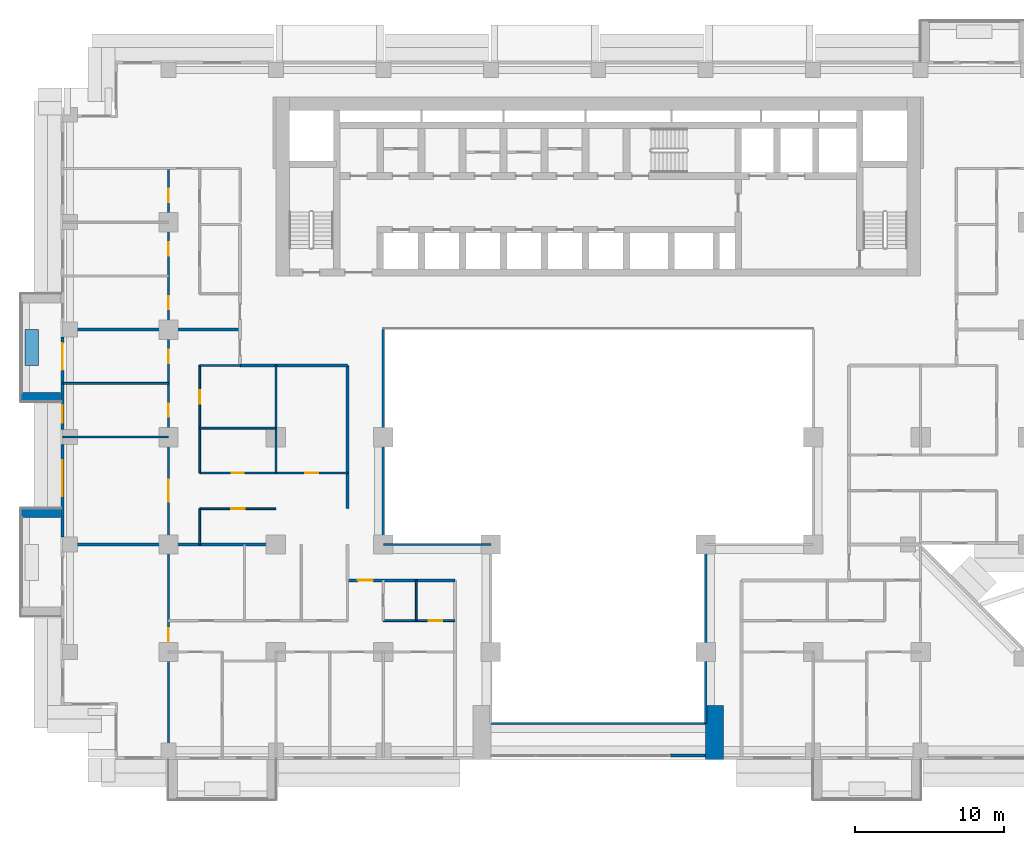
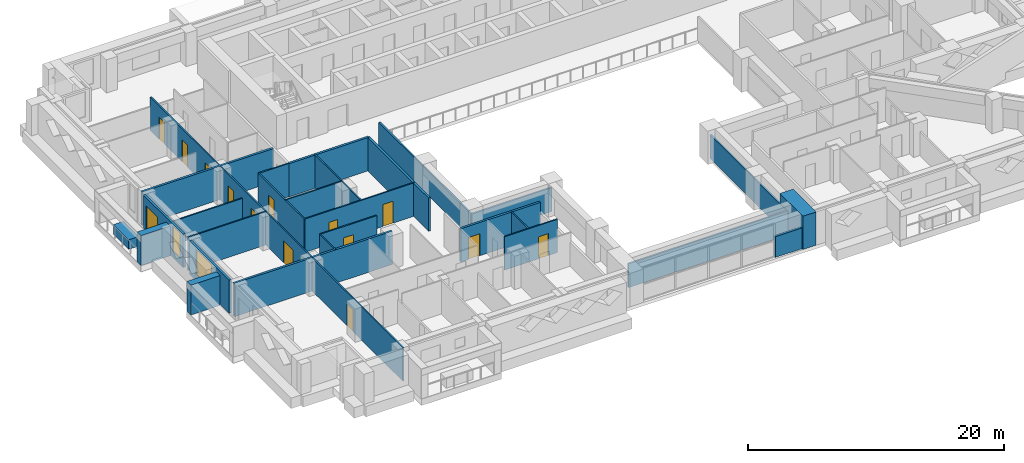
# One storey, part 7 of 17: 28 walls, 14 doors, 2 windows, 16 openings.
"""IFC4 building model written with IfcOpenShell, lengths in metres."""

from ifc_helpers import new_model, si_unit, direction, frame, frame_2d, origin, place, context, subcontext, project, spatial, rectangle, extrude, material, layer, layer_set, type_object, element, fill, save


model = new_model("IFC4")

# Units and contexts
model_context = context("Model", 3, precision=1e-05, world=origin(), true_north=direction((0.0, 1.0)))
body_context = subcontext(model_context, "Body", "Model", "MODEL_VIEW")
ifc_project = project(units=[si_unit("LENGTHUNIT", "METRE"), si_unit("AREAUNIT", "SQUARE_METRE"), si_unit("VOLUMEUNIT", "CUBIC_METRE"), si_unit("PLANEANGLEUNIT", "RADIAN"), si_unit("MASSUNIT", "GRAM", prefix="KILO")], contexts=[model_context])

# Site, building, storey
site_placement = place(None, origin())
site = spatial("IfcSite", under=ifc_project, at=site_placement, CompositionType="ELEMENT")
building_placement = place(site_placement, origin())
building = spatial("IfcBuilding", under=site, at=building_placement, Name="Saffron Iwan Residences", CompositionType="ELEMENT")
storey_placement = place(building_placement, frame((0.0, 0.0, 72.5)))
storey = spatial("IfcBuildingStorey", under=building, at=storey_placement, Name="L18", CompositionType="ELEMENT", Elevation=72.5)

# Walls
ifc_material_1 = material(Name="Fire-rated glazing", Category="glass")
ifc_layer_1 = layer(ifc_material_1, 0.14990234375)
ifc_layer_set_1 = layer_set([ifc_layer_1], Name="Fire-rated glazing")
wall_type_1 = type_object("IfcWallType", Name="Atrium glazed screen 150", PredefinedType="SOLIDWALL", material=ifc_layer_set_1)
wall_1_placement = place(storey_placement, frame((43.199951171875, 36.0, 0.0), z_axis=(0.0, 0.0, 1.0), x_axis=(1.0, 0.0, 0.0)))
element("IfcWall", 1, at=wall_1_placement, inside=storey, type_object=wall_type_1, Name="W-L18-SCREEN-h36-43.2", PredefinedType="SOLIDWALL", context=body_context, shape_type="SweptSolid", body=[
    extrude(rectangle(XDim=14.400146484375, YDim=0.14990234375, at=frame_2d((7.2001953125, 0.0))), origin(), (0.0, 0.0, 1.0), 2.280029296875),
])
wall_2_placement = place(storey_placement, frame((36.0, 48.0, 0.0), z_axis=(0.0, 0.0, 1.0), x_axis=(1.0, 0.0, 0.0)))
element("IfcWall", 2, at=wall_2_placement, inside=storey, type_object=wall_type_1, Name="W-L18-SCREEN-h48-36", PredefinedType="SOLIDWALL", context=body_context, shape_type="SweptSolid", body=[
    extrude(rectangle(XDim=7.199951171875, YDim=0.14990234375, at=frame_2d((3.60009765625, 0.0))), origin(), (0.0, 0.0, 1.0), 2.280029296875),
])
wall_3_placement = place(storey_placement, frame((36.0, 48.0, 0.0), z_axis=(0.0, 0.0, 1.0), x_axis=(0.0, 1.0, 0.0)))
element("IfcWall", 3, at=wall_3_placement, inside=storey, type_object=wall_type_1, Name="W-L18-SCREEN-v36-48", PredefinedType="SOLIDWALL", context=body_context, shape_type="SweptSolid", body=[
    extrude(rectangle(XDim=14.39990234375, YDim=0.14990234375, at=frame_2d((7.199951171875, 0.0))), origin(), (0.0, 0.0, 1.0), 2.280029296875),
])
wall_4_placement = place(storey_placement, frame((57.60009765625, 36.0, 0.0), z_axis=(0.0, 0.0, 1.0), x_axis=(0.0, 1.0, 0.0)))
element("IfcWall", 4, at=wall_4_placement, inside=storey, type_object=wall_type_1, Name="W-L18-SCREEN-v57.6-36", PredefinedType="SOLIDWALL", context=body_context, shape_type="SweptSolid", body=[
    extrude(rectangle(XDim=12.0, YDim=0.14990234375, at=frame_2d((6.0, 0.0))), origin(), (0.0, 0.0, 1.0), 2.280029296875),
])
ifc_material_2 = material(Name="Concrete C50/60 white painted", Category="concrete")
ifc_layer_2 = layer(ifc_material_2, 0.60009765625)
ifc_layer_set_2 = layer_set([ifc_layer_2], Name="Concrete C50/60 white painted")
wall_type_2 = type_object("IfcWallType", Name="BALCONY FIN 600", PredefinedType="SOLIDWALL", material=ifc_layer_set_2)
for number, where, z_axis, x_axis, name in (
    (5, (14.35009765625, 57.89990234375, 0.0), (0.0, 0.0, 1.0), (-1.0, 0.0, 0.0), "Balcony fin L18 F8-0b"),
    (6, (14.35009765625, 50.10009765625, 0.0), (0.0, 0.0, 1.0), (-1.0, 0.0, 0.0), "Balcony fin L18 F8-1a"),
):
    element("IfcWall", number, at=place(storey_placement, frame(where, z_axis=z_axis, x_axis=x_axis)), inside=storey, type_object=wall_type_2, Name=name, PredefinedType="SOLIDWALL", context=body_context, shape_type="SweptSolid", body=[
        extrude(rectangle(XDim=2.650146484375, YDim=0.60009765625, at=frame_2d((1.3251953125, 0.0))), origin(), (0.0, 0.0, 1.0), 2.85009765625),
    ])
ifc_material_3 = material(Name="Concrete C35/45 white painted", Category="concrete")
ifc_layer_3 = layer(ifc_material_3, 0.14990234375)
ifc_layer_set_3 = layer_set([ifc_layer_3], Name="Concrete C35/45 white painted")
wall_type_3 = type_object("IfcWallType", Name="BALCONY PLANTER", PredefinedType="SOLIDWALL", material=ifc_layer_set_3)
wall_5_placement = place(storey_placement, frame((12.425048828125, 62.39990234375, 0.0), z_axis=(0.0, 0.0, 1.0), x_axis=(0.0, -1.0, 0.0)))
element("IfcWall", 7, at=wall_5_placement, inside=storey, type_object=wall_type_3, Name="PLANTER L18 F8-0", PredefinedType="SOLIDWALL", context=body_context, shape_type="SweptSolid", body=[
    extrude(rectangle(XDim=2.39990234375, YDim=0.89990234375, at=frame_2d((1.199951171875, 0.0))), origin(), (0.0, 0.0, 1.0), 0.89990234375),
])

# Wall, openings, door, window
ifc_material_4 = material(Name="Concrete C40/50", Category="concrete")
ifc_layer_4 = layer(ifc_material_4, 0.199951171875)
ifc_layer_set_4 = layer_set([ifc_layer_4], Name="Concrete C40/50")
wall_type_4 = type_object("IfcWallType", Name="EXTERNAL WALL 200", PredefinedType="SOLIDWALL", material=ifc_layer_set_4)
wall_6_placement = place(storey_placement, frame((14.5, 61.89990234375, 0.0), z_axis=(0.0, 0.0, 1.0), x_axis=(0.0, -1.0, 0.0)))
wall_6 = element("IfcWall", 8, at=wall_6_placement, inside=storey, type_object=wall_type_4, Name="External wall L18 F8.2", PredefinedType="SOLIDWALL", context=body_context, shape_type="SweptSolid", body=[
    extrude(rectangle(XDim=6.199951171875, YDim=0.199951171875, at=frame_2d((3.10009765625, 0.0))), origin(), (0.0, 0.0, 1.0), 3.179931640625),
])
opening_1_placement = place(wall_6_placement, frame((0.39990234375, 0.0, 0.0)))
opening_1 = element("IfcOpeningElement", 9, at=opening_1_placement, cuts=wall_6, Name="Opening BD1", PredefinedType="OPENING", context=body_context, shape_type="SweptSolid", body=[
    extrude(rectangle(XDim=1.800048828125, YDim=2.39990234375, at=frame_2d((0.89990234375, 1.199951171875))), frame((0.0, 0.10986328125, 0.0), z_axis=(0.0, -1.0, 0.0), x_axis=(1.0, 0.0, 0.0)), (0.0, 0.0, 1.0), 0.219970703125),
])
opening_2_placement = place(wall_6_placement, frame((4.550048828125, 0.0, 0.60009765625)))
opening_2 = element("IfcOpeningElement", 10, at=opening_2_placement, cuts=wall_6, Name="Opening W3", PredefinedType="OPENING", context=body_context, shape_type="SweptSolid", body=[
    extrude(rectangle(XDim=1.199951171875, YDim=2.39990234375, at=frame_2d((0.60009765625, 1.199951171875))), frame((0.0, 0.10986328125, 0.0), z_axis=(0.0, -1.0, 0.0), x_axis=(1.0, 0.0, 0.0)), (0.0, 0.0, 1.0), 0.219970703125),
])
ifc_material_5 = material(Name="Clear glass, laminated double glazed", Category="glass")
door_type_1 = type_object("IfcDoorType", Name="BALCONY DOOR 1800 x 2400", OperationType="DOUBLE_DOOR_SLIDING", PredefinedType="DOOR", material=ifc_material_5)
door_1_placement = place(opening_1_placement, origin())
door_1 = element("IfcDoor", 11, at=door_1_placement, inside=storey, type_object=door_type_1, Name="Balcony door L18 F8.0", OperationType="DOUBLE_DOOR_SLIDING", OverallHeight=2.39990234375, OverallWidth=1.800048828125, PredefinedType="DOOR", context=body_context, shape_type="SweptSolid", body=[
    extrude(rectangle(XDim=1.800048828125, YDim=2.39990234375, at=frame_2d((0.89990234375, 1.199951171875))), frame((0.0, 0.02490234375, 0.0), z_axis=(0.0, -1.0, 0.0), x_axis=(1.0, 0.0, 0.0)), (0.0, 0.0, 1.0), 0.050048828125),
])
fill(opening_1, door_1)
window_type_1 = type_object("IfcWindowType", Name="WINDOW 1200 x 2400", PartitioningType="SINGLE_PANEL", PredefinedType="WINDOW", material=ifc_material_5)
window_1_placement = place(opening_2_placement, origin())
window_1 = element("IfcWindow", 12, at=window_1_placement, inside=storey, type_object=window_type_1, Name="Window L18 F8.1", OverallHeight=2.39990234375, OverallWidth=1.199951171875, PartitioningType="SINGLE_PANEL", PredefinedType="WINDOW", context=body_context, shape_type="SweptSolid", body=[
    extrude(rectangle(XDim=1.199951171875, YDim=2.39990234375, at=frame_2d((0.60009765625, 1.199951171875))), frame((0.0, 0.030029296875, 0.0), z_axis=(0.0, -1.0, 0.0), x_axis=(1.0, 0.0, 0.0)), (0.0, 0.0, 1.0), 0.06005859375),
])
fill(opening_2, window_1)

# Wall, opening, window
wall_7_placement = place(storey_placement, frame((14.5, 54.699951171875, 0.0), z_axis=(0.0, 0.0, 1.0), x_axis=(0.0, -1.0, 0.0)))
wall_7 = element("IfcWall", 13, at=wall_7_placement, inside=storey, type_object=wall_type_4, Name="External wall L18 F8.3", PredefinedType="SOLIDWALL", context=body_context, shape_type="SweptSolid", body=[
    extrude(rectangle(XDim=6.199951171875, YDim=0.199951171875, at=frame_2d((3.10009765625, 0.0))), origin(), (0.0, 0.0, 1.0), 3.179931640625),
])
opening_3_placement = place(wall_7_placement, frame((1.050048828125, 0.0, 0.60009765625)))
opening_3 = element("IfcOpeningElement", 14, at=opening_3_placement, cuts=wall_7, Name="Opening W1", PredefinedType="OPENING", context=body_context, shape_type="SweptSolid", body=[
    extrude(rectangle(XDim=2.39990234375, YDim=2.39990234375, at=frame_2d((1.199951171875, 1.199951171875))), frame((0.0, 0.10986328125, 0.0), z_axis=(0.0, -1.0, 0.0), x_axis=(1.0, 0.0, 0.0)), (0.0, 0.0, 1.0), 0.219970703125),
])
window_type_2 = type_object("IfcWindowType", Name="WINDOW 2400 x 2400", PartitioningType="DOUBLE_PANEL_VERTICAL", PredefinedType="WINDOW", material=ifc_material_5)
window_2_placement = place(opening_3_placement, origin())
window_2 = element("IfcWindow", 15, at=window_2_placement, inside=storey, type_object=window_type_2, Name="Window L18 F8.0", OverallHeight=2.39990234375, OverallWidth=2.39990234375, PartitioningType="DOUBLE_PANEL_VERTICAL", PredefinedType="WINDOW", context=body_context, shape_type="SweptSolid", body=[
    extrude(rectangle(XDim=2.39990234375, YDim=2.39990234375, at=frame_2d((1.199951171875, 1.199951171875))), frame((0.0, 0.030029296875, 0.0), z_axis=(0.0, -1.0, 0.0), x_axis=(1.0, 0.0, 0.0)), (0.0, 0.0, 1.0), 0.06005859375),
])
fill(opening_3, window_2)

# Walls
wall_8_placement = place(storey_placement, frame((55.199951171875, 33.85009765625, 0.0), z_axis=(0.0, 0.0, 1.0), x_axis=(1.0, 0.0, 0.0)))
element("IfcWall", 16, at=wall_8_placement, inside=storey, type_object=wall_type_4, Name="External wall infill CWB-L18-0", PredefinedType="SOLIDWALL", context=body_context, shape_type="SweptSolid", body=[
    extrude(rectangle(XDim=2.400146484375, YDim=0.199951171875, at=frame_2d((1.2001953125, 0.0))), origin(), (0.0, 0.0, 1.0), 1.97998046875),
])
ifc_material_6 = material(Name="Fire-rated gypsum board wall")
ifc_layer_5 = layer(ifc_material_6, 0.199951171875)
ifc_layer_set_5 = layer_set([ifc_layer_5], Name="Fire-rated gypsum board wall")
wall_type_5 = type_object("IfcWallType", Name="Flat demising wall 200", PredefinedType="SOLIDWALL", material=ifc_layer_set_5)
wall_9_placement = place(storey_placement, frame((14.52490234375, 48.0, 0.0), z_axis=(0.0, 0.0, 1.0), x_axis=(1.0, 0.0, 0.0)))
element("IfcWall", 17, at=wall_9_placement, inside=storey, type_object=wall_type_5, Name="W-L18-DEMISE-h48-14.525", PredefinedType="SOLIDWALL", context=body_context, shape_type="SweptSolid", body=[
    extrude(rectangle(XDim=14.275146484375, YDim=0.199951171875, at=frame_2d((7.1376953125, 0.0))), origin(), (0.0, 0.0, 1.0), 3.179931640625),
])
wall_10_placement = place(storey_placement, frame((14.52490234375, 62.39990234375, 0.0), z_axis=(0.0, 0.0, 1.0), x_axis=(1.0, 0.0, 0.0)))
element("IfcWall", 18, at=wall_10_placement, inside=storey, type_object=wall_type_5, Name="W-L18-DEMISE-h62.4-14.525", PredefinedType="SOLIDWALL", context=body_context, shape_type="SweptSolid", body=[
    extrude(rectangle(XDim=11.875, YDim=0.199951171875, at=frame_2d((5.9375, 0.0))), origin(), (0.0, 0.0, 1.0), 3.179931640625),
])

# Wall, opening, door
ifc_material_7 = material(Name="Gypsum board partition")
ifc_layer_6 = layer(ifc_material_7, 0.1201171875)
ifc_layer_set_6 = layer_set([ifc_layer_6], Name="Gypsum board partition")
wall_type_6 = type_object("IfcWallType", Name="Flat partition 120", PredefinedType="PARTITIONING", material=ifc_layer_set_6)
wall_11_placement = place(storey_placement, frame((36.0, 42.89990234375, 0.0), z_axis=(0.0, 0.0, 1.0), x_axis=(1.0, 0.0, 0.0)))
wall_11 = element("IfcWall", 19, at=wall_11_placement, inside=storey, type_object=wall_type_6, Name="W-L18-PART-h42.9-36", PredefinedType="PARTITIONING", context=body_context, shape_type="SweptSolid", body=[
    extrude(rectangle(XDim=4.800048828125, YDim=0.1201171875, at=frame_2d((2.39990234375, 0.0))), origin(), (0.0, 0.0, 1.0), 3.179931640625),
])
opening_4_placement = place(wall_11_placement, frame((3.050048828125, 0.0, 0.0)))
opening_4 = element("IfcOpeningElement", 20, at=opening_4_placement, cuts=wall_11, Name="Opening FD2", PredefinedType="OPENING", context=body_context, shape_type="SweptSolid", body=[
    extrude(rectangle(XDim=0.89990234375, YDim=2.10009765625, at=frame_2d((0.449951171875, 1.050048828125))), frame((0.0, 0.070068359375, 0.0), z_axis=(0.0, -1.0, 0.0), x_axis=(1.0, 0.0, 0.0)), (0.0, 0.0, 1.0), 0.14013671875),
])
ifc_material_8 = material(Name="Timber door", Category="wood")
door_type_2 = type_object("IfcDoorType", Name="Flat door 900", OperationType="NOTDEFINED", PredefinedType="DOOR", material=ifc_material_8)
door_2_placement = place(opening_4_placement, origin())
door_2 = element("IfcDoor", 21, at=door_2_placement, inside=storey, type_object=door_type_2, Name="Door L18-012", OperationType="SINGLE_SWING_LEFT", OverallHeight=2.10009765625, OverallWidth=0.89990234375, PredefinedType="DOOR", context=body_context, shape_type="SweptSolid", body=[
    extrude(rectangle(XDim=0.89990234375, YDim=2.10009765625, at=frame_2d((0.449951171875, 1.050048828125))), frame((0.0, 0.02490234375, 0.0), z_axis=(0.0, -1.0, 0.0), x_axis=(1.0, 0.0, 0.0)), (0.0, 0.0, 1.0), 0.050048828125),
])
fill(opening_4, door_2)

wall_12_placement = place(storey_placement, frame((23.699951171875, 50.39990234375, 0.0), z_axis=(0.0, 0.0, 1.0), x_axis=(1.0, 0.0, 0.0)))
wall_12 = element("IfcWall", 22, at=wall_12_placement, inside=storey, type_object=wall_type_6, Name="W-L18-PART-h50.4-23.7", PredefinedType="PARTITIONING", context=body_context, shape_type="SweptSolid", body=[
    extrude(rectangle(XDim=5.10009765625, YDim=0.1201171875, at=frame_2d((2.550048828125, 0.0))), origin(), (0.0, 0.0, 1.0), 3.179931640625),
])
opening_5_placement = place(wall_12_placement, frame((2.10009765625, 0.0, 0.0)))
opening_5 = element("IfcOpeningElement", 23, at=opening_5_placement, cuts=wall_12, Name="Opening FD2", PredefinedType="OPENING", context=body_context, shape_type="SweptSolid", body=[
    extrude(rectangle(XDim=0.89990234375, YDim=2.10009765625, at=frame_2d((0.449951171875, 1.050048828125))), frame((0.0, 0.070068359375, 0.0), z_axis=(0.0, -1.0, 0.0), x_axis=(1.0, 0.0, 0.0)), (0.0, 0.0, 1.0), 0.14013671875),
])
door_3_placement = place(opening_5_placement, origin())
door_3 = element("IfcDoor", 24, at=door_3_placement, inside=storey, type_object=door_type_2, Name="Door L18-017", OperationType="SINGLE_SWING_LEFT", OverallHeight=2.10009765625, OverallWidth=0.89990234375, PredefinedType="DOOR", context=body_context, shape_type="SweptSolid", body=[
    extrude(rectangle(XDim=0.89990234375, YDim=2.10009765625, at=frame_2d((0.449951171875, 1.050048828125))), frame((0.0, 0.02490234375, 0.0), z_axis=(0.0, -1.0, 0.0), x_axis=(1.0, 0.0, 0.0)), (0.0, 0.0, 1.0), 0.050048828125),
])
fill(opening_5, door_3)

# Wall, openings, doors
wall_13_placement = place(storey_placement, frame((23.699951171875, 52.800048828125, 0.0), z_axis=(0.0, 0.0, 1.0), x_axis=(1.0, 0.0, 0.0)))
wall_13 = element("IfcWall", 25, at=wall_13_placement, inside=storey, type_object=wall_type_6, Name="W-L18-PART-h52.8-23.7", PredefinedType="PARTITIONING", context=body_context, shape_type="SweptSolid", body=[
    extrude(rectangle(XDim=9.900146484375, YDim=0.1201171875, at=frame_2d((4.9501953125, 0.0))), origin(), (0.0, 0.0, 1.0), 3.179931640625),
])
opening_6_placement = place(wall_13_placement, frame((2.14990234375, 0.0, 0.0)))
opening_6 = element("IfcOpeningElement", 26, at=opening_6_placement, cuts=wall_13, Name="Opening FD3", PredefinedType="OPENING", context=body_context, shape_type="SweptSolid", body=[
    extrude(rectangle(XDim=0.800048828125, YDim=2.10009765625, at=frame_2d((0.39990234375, 1.050048828125))), frame((0.0, 0.070068359375, 0.0), z_axis=(0.0, -1.0, 0.0), x_axis=(1.0, 0.0, 0.0)), (0.0, 0.0, 1.0), 0.14013671875),
])
opening_7_placement = place(wall_13_placement, frame((7.050048828125, 0.0, 0.0)))
opening_7 = element("IfcOpeningElement", 27, at=opening_7_placement, cuts=wall_13, Name="Opening FD2", PredefinedType="OPENING", context=body_context, shape_type="SweptSolid", body=[
    extrude(rectangle(XDim=0.89990234375, YDim=2.10009765625, at=frame_2d((0.449951171875, 1.050048828125))), frame((0.0, 0.070068359375, 0.0), z_axis=(0.0, -1.0, 0.0), x_axis=(1.0, 0.0, 0.0)), (0.0, 0.0, 1.0), 0.14013671875),
])
door_type_3 = type_object("IfcDoorType", Name="Bathroom door 800", OperationType="NOTDEFINED", PredefinedType="DOOR", material=ifc_material_8)
door_4_placement = place(opening_6_placement, origin())
door_4 = element("IfcDoor", 28, at=door_4_placement, inside=storey, type_object=door_type_3, Name="Door L18-018", OperationType="SINGLE_SWING_LEFT", OverallHeight=2.10009765625, OverallWidth=0.800048828125, PredefinedType="DOOR", context=body_context, shape_type="SweptSolid", body=[
    extrude(rectangle(XDim=0.800048828125, YDim=2.10009765625, at=frame_2d((0.39990234375, 1.050048828125))), frame((0.0, 0.02490234375, 0.0), z_axis=(0.0, -1.0, 0.0), x_axis=(1.0, 0.0, 0.0)), (0.0, 0.0, 1.0), 0.050048828125),
])
fill(opening_6, door_4)
door_5_placement = place(opening_7_placement, origin())
door_5 = element("IfcDoor", 29, at=door_5_placement, inside=storey, type_object=door_type_2, Name="Door L18-020", OperationType="SINGLE_SWING_LEFT", OverallHeight=2.10009765625, OverallWidth=0.89990234375, PredefinedType="DOOR", context=body_context, shape_type="SweptSolid", body=[
    extrude(rectangle(XDim=0.89990234375, YDim=2.10009765625, at=frame_2d((0.449951171875, 1.050048828125))), frame((0.0, 0.02490234375, 0.0), z_axis=(0.0, -1.0, 0.0), x_axis=(1.0, 0.0, 0.0)), (0.0, 0.0, 1.0), 0.050048828125),
])
fill(opening_7, door_5)

# Walls
wall_14_placement = place(storey_placement, frame((14.52490234375, 55.199951171875, 0.0), z_axis=(0.0, 0.0, 1.0), x_axis=(1.0, 0.0, 0.0)))
element("IfcWall", 30, at=wall_14_placement, inside=storey, type_object=wall_type_6, Name="W-L18-PART-h55.2-14.525", PredefinedType="PARTITIONING", context=body_context, shape_type="SweptSolid", body=[
    extrude(rectangle(XDim=7.0751953125, YDim=0.1201171875, at=frame_2d((3.53759765625, 0.0))), origin(), (0.0, 0.0, 1.0), 3.179931640625),
])
wall_15_placement = place(storey_placement, frame((23.699951171875, 55.800048828125, 0.0), z_axis=(0.0, 0.0, 1.0), x_axis=(1.0, 0.0, 0.0)))
element("IfcWall", 31, at=wall_15_placement, inside=storey, type_object=wall_type_6, Name="W-L18-PART-h55.8-23.7", PredefinedType="PARTITIONING", context=body_context, shape_type="SweptSolid", body=[
    extrude(rectangle(XDim=5.10009765625, YDim=0.1201171875, at=frame_2d((2.550048828125, 0.0))), origin(), (0.0, 0.0, 1.0), 3.179931640625),
])
wall_16_placement = place(storey_placement, frame((14.52490234375, 58.800048828125, 0.0), z_axis=(0.0, 0.0, 1.0), x_axis=(1.0, 0.0, 0.0)))
element("IfcWall", 32, at=wall_16_placement, inside=storey, type_object=wall_type_6, Name="W-L18-PART-h58.8-14.525", PredefinedType="PARTITIONING", context=body_context, shape_type="SweptSolid", body=[
    extrude(rectangle(XDim=7.0751953125, YDim=0.1201171875, at=frame_2d((3.53759765625, 0.0))), origin(), (0.0, 0.0, 1.0), 2.280029296875),
])
wall_17_placement = place(storey_placement, frame((23.699951171875, 60.0, 0.0), z_axis=(0.0, 0.0, 1.0), x_axis=(1.0, 0.0, 0.0)))
element("IfcWall", 33, at=wall_17_placement, inside=storey, type_object=wall_type_6, Name="W-L18-PART-h60-23.7", PredefinedType="PARTITIONING", context=body_context, shape_type="SweptSolid", body=[
    extrude(rectangle(XDim=2.699951171875, YDim=0.1201171875, at=frame_2d((1.35009765625, 0.0))), origin(), (0.0, 0.0, 1.0), 3.179931640625),
])

# Wall, openings, doors
wall_18_placement = place(storey_placement, frame((21.60009765625, 33.72509765625, 0.0), z_axis=(0.0, 0.0, 1.0), x_axis=(0.0, 1.0, 0.0)))
wall_18 = element("IfcWall", 34, at=wall_18_placement, inside=storey, type_object=wall_type_6, Name="W-L18-PART-v21.6-33.725", PredefinedType="PARTITIONING", context=body_context, shape_type="SweptSolid", body=[
    extrude(rectangle(XDim=39.474853515625, YDim=0.1201171875, at=frame_2d((19.7373046875, 0.0))), origin(), (0.0, 0.0, 1.0), 3.179931640625),
])
opening_8_placement = place(wall_18_placement, frame((7.77490234375, 0.0, 0.0)))
opening_8 = element("IfcOpeningElement", 35, at=opening_8_placement, cuts=wall_18, Name="Opening FD2", PredefinedType="OPENING", context=body_context, shape_type="SweptSolid", body=[
    extrude(rectangle(XDim=0.89990234375, YDim=2.10009765625, at=frame_2d((0.449951171875, 1.050048828125))), frame((0.0, 0.070068359375, 0.0), z_axis=(0.0, -1.0, 0.0), x_axis=(1.0, 0.0, 0.0)), (0.0, 0.0, 1.0), 0.14013671875),
])
opening_9_placement = place(wall_18_placement, frame((17.125, 0.0, 0.0)))
opening_9 = element("IfcOpeningElement", 36, at=opening_9_placement, cuts=wall_18, Name="Opening FD4", PredefinedType="OPENING", context=body_context, shape_type="SweptSolid", body=[
    extrude(rectangle(XDim=1.5, YDim=2.10009765625, at=frame_2d((0.75, 1.050048828125))), frame((0.0, 0.070068359375, 0.0), z_axis=(0.0, -1.0, 0.0), x_axis=(1.0, 0.0, 0.0)), (0.0, 0.0, 1.0), 0.14013671875),
])
opening_10_placement = place(wall_18_placement, frame((22.824951171875, 0.0, 0.0)))
opening_10 = element("IfcOpeningElement", 37, at=opening_10_placement, cuts=wall_18, Name="Opening FD2", PredefinedType="OPENING", context=body_context, shape_type="SweptSolid", body=[
    extrude(rectangle(XDim=0.89990234375, YDim=2.10009765625, at=frame_2d((0.449951171875, 1.050048828125))), frame((0.0, 0.070068359375, 0.0), z_axis=(0.0, -1.0, 0.0), x_axis=(1.0, 0.0, 0.0)), (0.0, 0.0, 1.0), 0.14013671875),
])
opening_11_placement = place(wall_18_placement, frame((26.425048828125, 0.0, 0.0)))
opening_11 = element("IfcOpeningElement", 38, at=opening_11_placement, cuts=wall_18, Name="Opening FD2", PredefinedType="OPENING", context=body_context, shape_type="SweptSolid", body=[
    extrude(rectangle(XDim=0.89990234375, YDim=2.10009765625, at=frame_2d((0.449951171875, 1.050048828125))), frame((0.0, 0.070068359375, 0.0), z_axis=(0.0, -1.0, 0.0), x_axis=(1.0, 0.0, 0.0)), (0.0, 0.0, 1.0), 0.14013671875),
])
opening_12_placement = place(wall_18_placement, frame((30.02490234375, 0.0, 0.0)))
opening_12 = element("IfcOpeningElement", 39, at=opening_12_placement, cuts=wall_18, Name="Opening FD2", PredefinedType="OPENING", context=body_context, shape_type="SweptSolid", body=[
    extrude(rectangle(XDim=0.89990234375, YDim=2.10009765625, at=frame_2d((0.449951171875, 1.050048828125))), frame((0.0, 0.070068359375, 0.0), z_axis=(0.0, -1.0, 0.0), x_axis=(1.0, 0.0, 0.0)), (0.0, 0.0, 1.0), 0.14013671875),
])
opening_13_placement = place(wall_18_placement, frame((33.625, 0.0, 0.0)))
opening_13 = element("IfcOpeningElement", 40, at=opening_13_placement, cuts=wall_18, Name="Opening FD2", PredefinedType="OPENING", context=body_context, shape_type="SweptSolid", body=[
    extrude(rectangle(XDim=0.89990234375, YDim=2.10009765625, at=frame_2d((0.449951171875, 1.050048828125))), frame((0.0, 0.070068359375, 0.0), z_axis=(0.0, -1.0, 0.0), x_axis=(1.0, 0.0, 0.0)), (0.0, 0.0, 1.0), 0.14013671875),
])
opening_14_placement = place(wall_18_placement, frame((37.22509765625, 0.0, 0.0)))
opening_14 = element("IfcOpeningElement", 41, at=opening_14_placement, cuts=wall_18, Name="Opening FD2", PredefinedType="OPENING", context=body_context, shape_type="SweptSolid", body=[
    extrude(rectangle(XDim=0.89990234375, YDim=2.10009765625, at=frame_2d((0.449951171875, 1.050048828125))), frame((0.0, 0.070068359375, 0.0), z_axis=(0.0, -1.0, 0.0), x_axis=(1.0, 0.0, 0.0)), (0.0, 0.0, 1.0), 0.14013671875),
])
door_type_4 = type_object("IfcDoorType", Name="Double door 1500", OperationType="NOTDEFINED", PredefinedType="DOOR", material=ifc_material_8)
door_6_placement = place(opening_9_placement, origin())
door_6 = element("IfcDoor", 42, at=door_6_placement, inside=storey, type_object=door_type_4, Name="Door L18-014", OperationType="SINGLE_SWING_LEFT", OverallHeight=2.10009765625, OverallWidth=1.5, PredefinedType="DOOR", context=body_context, shape_type="SweptSolid", body=[
    extrude(rectangle(XDim=1.5, YDim=2.10009765625, at=frame_2d((0.75, 1.050048828125))), frame((0.0, 0.02490234375, 0.0), z_axis=(0.0, -1.0, 0.0), x_axis=(1.0, 0.0, 0.0)), (0.0, 0.0, 1.0), 0.050048828125),
])
fill(opening_9, door_6)
door_7_placement = place(opening_8_placement, origin())
door_7 = element("IfcDoor", 43, at=door_7_placement, inside=storey, type_object=door_type_2, Name="Door L18-002", OperationType="SINGLE_SWING_RIGHT", OverallHeight=2.10009765625, OverallWidth=0.89990234375, PredefinedType="DOOR", context=body_context, shape_type="SweptSolid", body=[
    extrude(rectangle(XDim=0.89990234375, YDim=2.10009765625, at=frame_2d((0.449951171875, 1.050048828125))), frame((0.0, 0.02490234375, 0.0), z_axis=(0.0, -1.0, 0.0), x_axis=(1.0, 0.0, 0.0)), (0.0, 0.0, 1.0), 0.050048828125),
])
fill(opening_8, door_7)
door_8_placement = place(opening_10_placement, origin())
door_8 = element("IfcDoor", 44, at=door_8_placement, inside=storey, type_object=door_type_2, Name="Door L18-015", OperationType="SINGLE_SWING_LEFT", OverallHeight=2.10009765625, OverallWidth=0.89990234375, PredefinedType="DOOR", context=body_context, shape_type="SweptSolid", body=[
    extrude(rectangle(XDim=0.89990234375, YDim=2.10009765625, at=frame_2d((0.449951171875, 1.050048828125))), frame((0.0, 0.02490234375, 0.0), z_axis=(0.0, -1.0, 0.0), x_axis=(1.0, 0.0, 0.0)), (0.0, 0.0, 1.0), 0.050048828125),
])
fill(opening_10, door_8)
door_9_placement = place(opening_11_placement, origin())
door_9 = element("IfcDoor", 45, at=door_9_placement, inside=storey, type_object=door_type_2, Name="Door L18-016", OperationType="SINGLE_SWING_RIGHT", OverallHeight=2.10009765625, OverallWidth=0.89990234375, PredefinedType="DOOR", context=body_context, shape_type="SweptSolid", body=[
    extrude(rectangle(XDim=0.89990234375, YDim=2.10009765625, at=frame_2d((0.449951171875, 1.050048828125))), frame((0.0, 0.02490234375, 0.0), z_axis=(0.0, -1.0, 0.0), x_axis=(1.0, 0.0, 0.0)), (0.0, 0.0, 1.0), 0.050048828125),
])
fill(opening_11, door_9)
door_10_placement = place(opening_12_placement, origin())
door_10 = element("IfcDoor", 46, at=door_10_placement, inside=storey, type_object=door_type_2, Name="Door L18-030", OperationType="SINGLE_SWING_LEFT", OverallHeight=2.10009765625, OverallWidth=0.89990234375, PredefinedType="DOOR", context=body_context, shape_type="SweptSolid", body=[
    extrude(rectangle(XDim=0.89990234375, YDim=2.10009765625, at=frame_2d((0.449951171875, 1.050048828125))), frame((0.0, 0.02490234375, 0.0), z_axis=(0.0, -1.0, 0.0), x_axis=(1.0, 0.0, 0.0)), (0.0, 0.0, 1.0), 0.050048828125),
])
fill(opening_12, door_10)
door_11_placement = place(opening_13_placement, origin())
door_11 = element("IfcDoor", 47, at=door_11_placement, inside=storey, type_object=door_type_2, Name="Door L18-031", OperationType="SINGLE_SWING_RIGHT", OverallHeight=2.10009765625, OverallWidth=0.89990234375, PredefinedType="DOOR", context=body_context, shape_type="SweptSolid", body=[
    extrude(rectangle(XDim=0.89990234375, YDim=2.10009765625, at=frame_2d((0.449951171875, 1.050048828125))), frame((0.0, 0.02490234375, 0.0), z_axis=(0.0, -1.0, 0.0), x_axis=(1.0, 0.0, 0.0)), (0.0, 0.0, 1.0), 0.050048828125),
])
fill(opening_13, door_11)
door_12_placement = place(opening_14_placement, origin())
door_12 = element("IfcDoor", 48, at=door_12_placement, inside=storey, type_object=door_type_2, Name="Door L18-032", OperationType="SINGLE_SWING_LEFT", OverallHeight=2.10009765625, OverallWidth=0.89990234375, PredefinedType="DOOR", context=body_context, shape_type="SweptSolid", body=[
    extrude(rectangle(XDim=0.89990234375, YDim=2.10009765625, at=frame_2d((0.449951171875, 1.050048828125))), frame((0.0, 0.02490234375, 0.0), z_axis=(0.0, -1.0, 0.0), x_axis=(1.0, 0.0, 0.0)), (0.0, 0.0, 1.0), 0.050048828125),
])
fill(opening_14, door_12)

# Wall
wall_19_placement = place(storey_placement, frame((23.699951171875, 48.0, 0.0), z_axis=(0.0, 0.0, 1.0), x_axis=(0.0, 1.0, 0.0)))
element("IfcWall", 49, at=wall_19_placement, inside=storey, type_object=wall_type_6, Name="W-L18-PART-v23.7-48", PredefinedType="PARTITIONING", context=body_context, shape_type="SweptSolid", body=[
    extrude(rectangle(XDim=2.39990234375, YDim=0.1201171875, at=frame_2d((1.199951171875, 0.0))), origin(), (0.0, 0.0, 1.0), 3.179931640625),
])

# Wall, opening, door
wall_20_placement = place(storey_placement, frame((23.699951171875, 52.800048828125, 0.0), z_axis=(0.0, 0.0, 1.0), x_axis=(0.0, 1.0, 0.0)))
wall_20 = element("IfcWall", 50, at=wall_20_placement, inside=storey, type_object=wall_type_6, Name="W-L18-PART-v23.7-52.8", PredefinedType="PARTITIONING", context=body_context, shape_type="SweptSolid", body=[
    extrude(rectangle(XDim=7.199951171875, YDim=0.1201171875, at=frame_2d((3.60009765625, 0.0))), origin(), (0.0, 0.0, 1.0), 3.179931640625),
])
opening_15_placement = place(wall_20_placement, frame((4.64990234375, 0.0, 0.0)))
opening_15 = element("IfcOpeningElement", 51, at=opening_15_placement, cuts=wall_20, Name="Opening FD2", PredefinedType="OPENING", context=body_context, shape_type="SweptSolid", body=[
    extrude(rectangle(XDim=0.89990234375, YDim=2.10009765625, at=frame_2d((0.449951171875, 1.050048828125))), frame((0.0, 0.070068359375, 0.0), z_axis=(0.0, -1.0, 0.0), x_axis=(1.0, 0.0, 0.0)), (0.0, 0.0, 1.0), 0.14013671875),
])
door_13_placement = place(opening_15_placement, origin())
door_13 = element("IfcDoor", 52, at=door_13_placement, inside=storey, type_object=door_type_2, Name="Door L18-019", OperationType="SINGLE_SWING_RIGHT", OverallHeight=2.10009765625, OverallWidth=0.89990234375, PredefinedType="DOOR", context=body_context, shape_type="SweptSolid", body=[
    extrude(rectangle(XDim=0.89990234375, YDim=2.10009765625, at=frame_2d((0.449951171875, 1.050048828125))), frame((0.0, 0.02490234375, 0.0), z_axis=(0.0, -1.0, 0.0), x_axis=(1.0, 0.0, 0.0)), (0.0, 0.0, 1.0), 0.050048828125),
])
fill(opening_15, door_13)

# Walls
wall_21_placement = place(storey_placement, frame((28.800048828125, 52.800048828125, 0.0), z_axis=(0.0, 0.0, 1.0), x_axis=(0.0, 1.0, 0.0)))
element("IfcWall", 53, at=wall_21_placement, inside=storey, type_object=wall_type_6, Name="W-L18-PART-v28.8-52.8", PredefinedType="PARTITIONING", context=body_context, shape_type="SweptSolid", body=[
    extrude(rectangle(XDim=7.199951171875, YDim=0.1201171875, at=frame_2d((3.60009765625, 0.0))), origin(), (0.0, 0.0, 1.0), 3.179931640625),
])
wall_22_placement = place(storey_placement, frame((38.199951171875, 42.89990234375, 0.0), z_axis=(0.0, 0.0, 1.0), x_axis=(0.0, 1.0, 0.0)))
element("IfcWall", 54, at=wall_22_placement, inside=storey, type_object=wall_type_6, Name="W-L18-PART-v38.2-42.9", PredefinedType="PARTITIONING", context=body_context, shape_type="SweptSolid", body=[
    extrude(rectangle(XDim=2.7001953125, YDim=0.1201171875, at=frame_2d((1.35009765625, 0.0))), origin(), (0.0, 0.0, 1.0), 3.179931640625),
])

# Wall, opening, door
ifc_layer_7 = layer(ifc_material_6, 0.199951171875)
ifc_layer_set_7 = layer_set([ifc_layer_7], Name="Fire-rated gypsum board wall")
wall_type_7 = type_object("IfcWallType", Name="Gallery wall 200", PredefinedType="SOLIDWALL", material=ifc_layer_set_7)
wall_23_placement = place(storey_placement, frame((33.60009765625, 45.60009765625, 0.0), z_axis=(0.0, 0.0, 1.0), x_axis=(1.0, 0.0, 0.0)))
wall_23 = element("IfcWall", 55, at=wall_23_placement, inside=storey, type_object=wall_type_7, Name="W-L18-CORR-h45.6-33.6", PredefinedType="SOLIDWALL", context=body_context, shape_type="SweptSolid", body=[
    extrude(rectangle(XDim=7.199951171875, YDim=0.199951171875, at=frame_2d((3.60009765625, 0.0))), origin(), (0.0, 0.0, 1.0), 3.179931640625),
])
opening_16_placement = place(wall_23_placement, frame((0.699951171875, 0.0, 0.0)))
opening_16 = element("IfcOpeningElement", 56, at=opening_16_placement, cuts=wall_23, Name="Opening FD1", PredefinedType="OPENING", context=body_context, shape_type="SweptSolid", body=[
    extrude(rectangle(XDim=1.0, YDim=2.10009765625, at=frame_2d((0.5, 1.050048828125))), frame((0.0, 0.10986328125, 0.0), z_axis=(0.0, -1.0, 0.0), x_axis=(1.0, 0.0, 0.0)), (0.0, 0.0, 1.0), 0.219970703125),
])
ifc_material_9 = material(Name="Fire-rated timber door", Category="wood")
door_type_5 = type_object("IfcDoorType", Name="FD30S flat entrance door 1000", OperationType="NOTDEFINED", PredefinedType="DOOR", material=ifc_material_9)
door_14_placement = place(opening_16_placement, origin())
door_14 = element("IfcDoor", 57, at=door_14_placement, inside=storey, type_object=door_type_5, Name="Door L18-001", OperationType="SINGLE_SWING_RIGHT", OverallHeight=2.10009765625, OverallWidth=1.0, PredefinedType="DOOR", context=body_context, shape_type="SweptSolid", body=[
    extrude(rectangle(XDim=1.0, YDim=2.10009765625, at=frame_2d((0.5, 1.050048828125))), frame((0.0, 0.02490234375, 0.0), z_axis=(0.0, -1.0, 0.0), x_axis=(1.0, 0.0, 0.0)), (0.0, 0.0, 1.0), 0.050048828125),
])
fill(opening_16, door_14)

# Walls
wall_24_placement = place(storey_placement, frame((26.39990234375, 60.0, 0.0), z_axis=(0.0, 0.0, 1.0), x_axis=(1.0, 0.0, 0.0)))
element("IfcWall", 58, at=wall_24_placement, inside=storey, type_object=wall_type_7, Name="W-L18-CORR-h60-26.4", PredefinedType="SOLIDWALL", context=body_context, shape_type="SweptSolid", body=[
    extrude(rectangle(XDim=7.2001953125, YDim=0.199951171875, at=frame_2d((3.60009765625, 0.0))), origin(), (0.0, 0.0, 1.0), 3.179931640625),
])
wall_25_placement = place(storey_placement, frame((33.60009765625, 50.39990234375, 0.0), z_axis=(0.0, 0.0, 1.0), x_axis=(0.0, 1.0, 0.0)))
element("IfcWall", 59, at=wall_25_placement, inside=storey, type_object=wall_type_7, Name="W-L18-CORR-v33.6-50.4", PredefinedType="SOLIDWALL", context=body_context, shape_type="SweptSolid", body=[
    extrude(rectangle(XDim=9.60009765625, YDim=0.199951171875, at=frame_2d((4.800048828125, 0.0))), origin(), (0.0, 0.0, 1.0), 3.179931640625),
])
ifc_material_10 = material(Name="Concrete C60/75", Category="concrete")
ifc_layer_8 = layer(ifc_material_10, 1.199951171875)
ifc_layer_set_8 = layer_set([ifc_layer_8], Name="Concrete C60/75")
wall_type_8 = type_object("IfcWallType", Name="WALL IWAN PIER 1200 C60/75 3180 HIGH", PredefinedType="SHEAR", material=ifc_layer_set_8)
wall_26_placement = place(storey_placement, frame((58.199951171875, 33.60009765625, 0.0), z_axis=(0.0, 0.0, 1.0), x_axis=(0.0, 1.0, 0.0)))
element("IfcWall", 60, at=wall_26_placement, inside=storey, type_object=wall_type_8, Name="IWAN PIER", PredefinedType="SHEAR", context=body_context, shape_type="SweptSolid", body=[
    extrude(rectangle(XDim=3.599853515625, YDim=1.199951171875, at=frame_2d((1.7998046875, 0.0))), origin(), (0.0, 0.0, 1.0), 3.179931640625),
])

save(model, "model.ifc")
